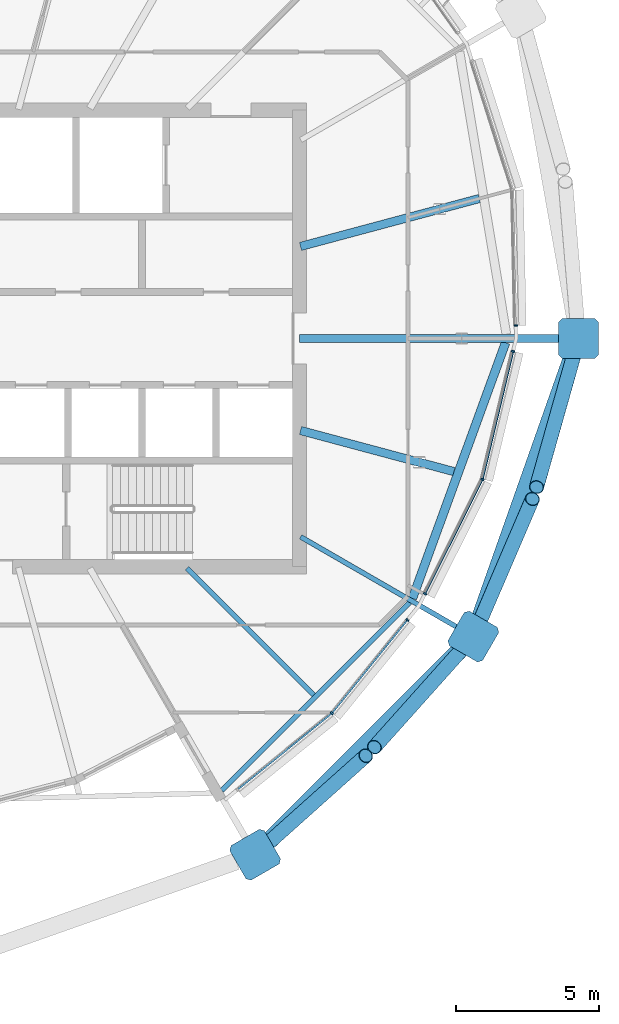
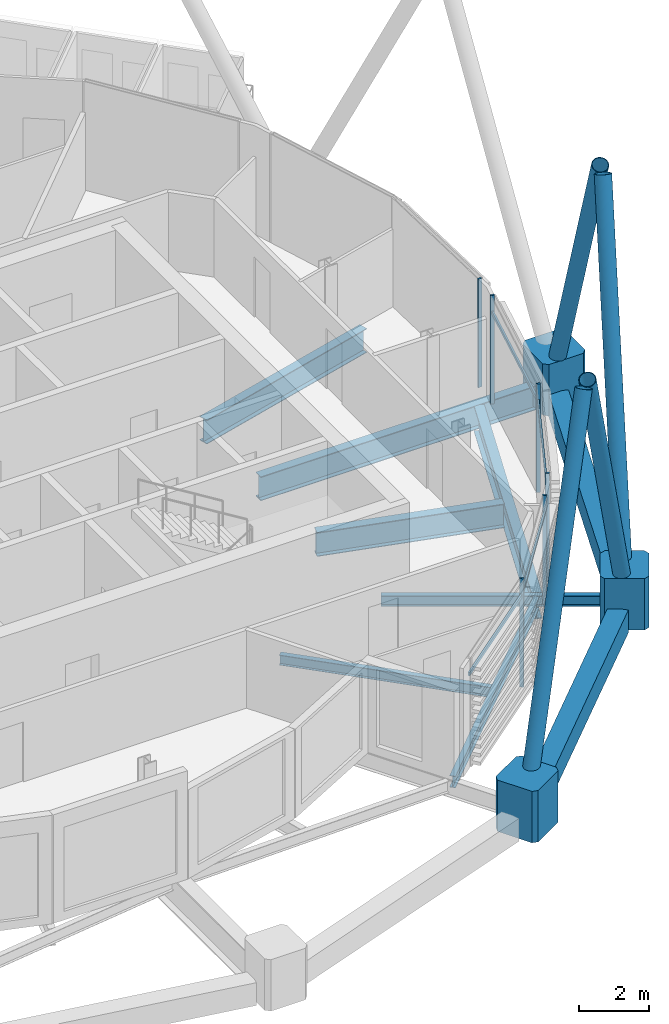
# One storey, part 14 of 34: 17 members, 9 beams, 1 element without a shape of its own.
"""IFC4 building model written with IfcOpenShell, lengths in metres."""

from ifc_helpers import new_model, si_unit, direction, frame, origin, origin_2d, place, context, subcontext, project, spatial, polyline, rectangle, hollow_rectangle, hollow_circle, i_section, outline, extrude, material, material_profile, profile_set, type_object, element, aggregate, save


model = new_model("IFC4")

# Units and contexts
model_context = context("Model", 3, precision=1e-05, world=origin(), true_north=direction((0.0, 1.0)))
body_context = subcontext(model_context, "Body", "Model", "MODEL_VIEW")
ifc_project = project(units=[si_unit("LENGTHUNIT", "METRE"), si_unit("AREAUNIT", "SQUARE_METRE"), si_unit("VOLUMEUNIT", "CUBIC_METRE"), si_unit("PLANEANGLEUNIT", "RADIAN"), si_unit("MASSUNIT", "GRAM", prefix="KILO")], contexts=[model_context])

# Site, building, storey
site_placement = place(None, origin())
site = spatial("IfcSite", under=ifc_project, at=site_placement, CompositionType="ELEMENT")
building_placement = place(site_placement, origin())
building = spatial("IfcBuilding", under=site, at=building_placement, Name="Rimbun Link Towers", CompositionType="ELEMENT")
storey_placement = place(building_placement, frame((0.0, 0.0, 221.89990234375)))
storey = spatial("IfcBuildingStorey", under=building, at=storey_placement, Name="L54", CompositionType="ELEMENT", Elevation=221.89990234375)

# Curtain wall, members
ifc_material_1 = material(Name="Aluminium 6063-T6 and low-iron glass", Category="aluminium")
curtain_wall_type = type_object("IfcCurtainWallType", Name="CW1-Z4 unitised vision wall (zone 4)", PredefinedType="NOTDEFINED", material=ifc_material_1)
curtain_wall_placement = place(storey_placement, origin())
curtain_wall = element("IfcCurtainWall", 1, at=curtain_wall_placement, inside=storey, type_object=curtain_wall_type, Name="CW1 L54 T2", PredefinedType="NOTDEFINED")
ifc_material_2 = material(Name="Aluminium 6063-T6", Category="aluminium")
ifc_material_profile_1 = material_profile(ifc_material_2, rectangle(XDim=0.1201171875, YDim=0.06005859375, at=origin_2d()), Name="MULLION 60X120")
ifc_profile_set_1 = profile_set([ifc_material_profile_1], Name="Aluminium 6063-T6")
member_type_1 = type_object("IfcMemberType", Name="CW1 mullion 60X120", PredefinedType="MULLION", material=ifc_profile_set_1)
member_1_placement = place(storey_placement, frame((44.88818359375, -13.13818359375, 0.0), z_axis=(0.0, 0.0, 1.0), x_axis=(0.707106781187, -0.707106781187, 0.0)))
member_1 = element("IfcMember", 2, at=member_1_placement, type_object=member_type_1, Name="CW1 mullion", PredefinedType="MULLION", context=body_context, shape_type="SweptSolid", body=[
    extrude(rectangle(XDim=0.1201171875, YDim=0.06005859375, at=origin_2d()), origin(), (0.0, 0.0, 1.0), 3.800048828125),
])
member_2_placement = place(storey_placement, frame((47.536865234375, -9.86669921875, 0.0), z_axis=(0.0, 0.0, 1.0), x_axis=(0.777275581063, -0.629160290454, 0.0)))
member_2 = element("IfcMember", 3, at=member_2_placement, type_object=member_type_1, Name="CW1 mullion", PredefinedType="MULLION", context=body_context, shape_type="SweptSolid", body=[
    extrude(rectangle(XDim=0.1201171875, YDim=0.06005859375, at=origin_2d()), origin(), (0.0, 0.0, 1.0), 3.800048828125),
])
member_3_placement = place(storey_placement, frame((50.1669921875, -4.940185546875, 0.0), z_axis=(0.0, 0.0, 1.0), x_axis=(0.939348465914, -0.342964224935, 0.0)))
member_3 = element("IfcMember", 4, at=member_3_placement, type_object=member_type_1, Name="CW1 mullion", PredefinedType="MULLION", context=body_context, shape_type="SweptSolid", body=[
    extrude(rectangle(XDim=0.1201171875, YDim=0.06005859375, at=origin_2d()), origin(), (0.0, 0.0, 1.0), 3.800048828125),
])
member_4_placement = place(storey_placement, frame((48.15478515625, -8.948486328125, 0.0), z_axis=(0.0, 0.0, 1.0), x_axis=(0.893646631938, -0.448771319523, 0.0)))
member_4 = element("IfcMember", 5, at=member_4_placement, type_object=member_type_1, Name="CW1 mullion", PredefinedType="MULLION", context=body_context, shape_type="SweptSolid", body=[
    extrude(rectangle(XDim=0.1201171875, YDim=0.06005859375, at=origin_2d()), origin(), (0.0, 0.0, 1.0), 3.800048828125),
])
member_5_placement = place(storey_placement, frame((51.240966796875, -0.45166015625, 0.0), z_axis=(0.0, 0.0, 1.0), x_axis=(0.972572183777, -0.232601262555, 0.0)))
member_5 = element("IfcMember", 6, at=member_5_placement, type_object=member_type_1, Name="CW1 mullion", PredefinedType="MULLION", context=body_context, shape_type="SweptSolid", body=[
    extrude(rectangle(XDim=0.1201171875, YDim=0.06005859375, at=origin_2d()), origin(), (0.0, 0.0, 1.0), 3.800048828125),
])
member_6_placement = place(storey_placement, frame((51.337890625, 0.451171875, 0.0), z_axis=(0.0, 0.0, 1.0), x_axis=(0.999778028585, 0.021068781637, 0.0)))
member_6 = element("IfcMember", 7, at=member_6_placement, type_object=member_type_1, Name="CW1 mullion", PredefinedType="MULLION", context=body_context, shape_type="SweptSolid", body=[
    extrude(rectangle(XDim=0.1201171875, YDim=0.06005859375, at=origin_2d()), origin(), (0.0, 0.0, 1.0), 3.800048828125),
])
ifc_material_3 = material(Name="Aluminium 6063-T6", Category="aluminium")
ifc_material_profile_2 = material_profile(ifc_material_3, rectangle(XDim=0.06005859375, YDim=0.1201171875, at=origin_2d()), Name="TRANSOM 60X120")
ifc_profile_set_2 = profile_set([ifc_material_profile_2], Name="Aluminium 6063-T6")
member_type_2 = type_object("IfcMemberType", Name="CW1 transom 60X120", PredefinedType="USERDEFINED", material=ifc_profile_set_2)
member_7_placement = place(storey_placement, frame((44.85888671875, -13.15966796875, 3.2001953125), z_axis=(-0.7772543622, -0.629186503703, 0.0), x_axis=(0.629186503703, -0.7772543622, 0.0)))
member_7 = element("IfcMember", 8, at=member_7_placement, type_object=member_type_2, Name="CW1 transom", ObjectType="TRANSOM", PredefinedType="USERDEFINED", context=body_context, shape_type="SweptSolid", body=[
    extrude(rectangle(XDim=0.06005859375, YDim=0.1201171875, at=origin_2d()), origin(), (0.0, 0.0, 1.0), 4.193115234375),
])
member_8_placement = place(storey_placement, frame((47.516357421875, -9.888671875, 3.2001953125), z_axis=(-0.62917619089, -0.777262710297, 0.0), x_axis=(0.777262710297, -0.62917619089, 0.0)))
member_8 = element("IfcMember", 9, at=member_8_placement, type_object=member_type_2, Name="CW1 transom", ObjectType="TRANSOM", PredefinedType="USERDEFINED", context=body_context, shape_type="SweptSolid", body=[
    extrude(rectangle(XDim=0.06005859375, YDim=0.1201171875, at=origin_2d()), origin(), (0.0, 0.0, 1.0), 4.14306640625),
])
member_9_placement = place(storey_placement, frame((50.149169921875, -4.97265625, 3.2001953125), z_axis=(-0.448804313885, -0.893630062072, 0.0), x_axis=(0.893630062072, -0.448804313885, 0.0)))
member_9 = element("IfcMember", 10, at=member_9_placement, type_object=member_type_2, Name="CW1 transom", ObjectType="TRANSOM", PredefinedType="USERDEFINED", context=body_context, shape_type="SweptSolid", body=[
    extrude(rectangle(XDim=0.06005859375, YDim=0.1201171875, at=origin_2d()), origin(), (0.0, 0.0, 1.0), 4.418212890625),
])
member_10_placement = place(storey_placement, frame((51.232177734375, -0.480224609375, 3.2001953125), z_axis=(-0.232621775985, -0.972567277538, 0.0), x_axis=(0.972567277538, -0.232621775985, 0.0)))
member_10 = element("IfcMember", 11, at=member_10_placement, type_object=member_type_2, Name="CW1 transom", ObjectType="TRANSOM", PredefinedType="USERDEFINED", context=body_context, shape_type="SweptSolid", body=[
    extrude(rectangle(XDim=0.06005859375, YDim=0.1201171875, at=origin_2d()), origin(), (0.0, 0.0, 1.0), 4.548583984375),
])
aggregate(curtain_wall, [member_1, member_2, member_3, member_4, member_5, member_6, member_7, member_8, member_9, member_10])

# Members
ifc_material_4 = material(Name="Steel S355J2H", Category="steel")
ifc_material_profile_3 = material_profile(ifc_material_4, hollow_circle(Radius=0.25390625, WallThickness=0.02001953125, at=origin_2d()), Name="Diagrid diagonal CHS 508x20")
ifc_profile_set_3 = profile_set([ifc_material_profile_3], Name="Steel S355J2H")
member_type_3 = type_object("IfcMemberType", Name="Diagrid diagonal CHS 508x20", PredefinedType="BRACE", material=ifc_profile_set_3)
for number, where, z_axis, x_axis, name in (
    (12, (42.358642578125, -17.95458984375, 0.45166015625), (0.319901395332, 0.286121421357, 0.903215162353), (-0.666657495465, 0.74536419537, 0.0), "Diagrid diagonal T2 L54-L57 17b"),
    (13, (49.70458984375, -10.608642578125, 0.45166015625), (-0.286121421357, -0.319901395332, 0.903215162353), (0.74536419537, -0.666657495465, 0.0), "Diagrid diagonal T2 L54-L57 19a"),
):
    element("IfcMember", number, at=place(storey_placement, frame(where, z_axis=z_axis, x_axis=x_axis)), inside=storey, type_object=member_type_3, Name=name, PredefinedType="BRACE", context=body_context, shape_type="SweptSolid", body=[
        extrude(hollow_circle(Radius=0.25390625, WallThickness=0.02001953125, at=origin_2d()), origin(), (0.0, 0.0, 1.0), 11.62158203125),
    ])
member_11_placement = place(storey_placement, frame((49.932861328125, -10.25, 0.450927734375), z_axis=(0.170489253416, 0.39722108711, 0.901747648971), x_axis=(-0.918934117614, 0.394411064101, 0.0)))
element("IfcMember", 14, at=member_11_placement, inside=storey, type_object=member_type_3, Name="Diagrid diagonal T2 L54-L57 19b", PredefinedType="BRACE", context=body_context, shape_type="SweptSolid", body=[
    extrude(hollow_circle(Radius=0.25390625, WallThickness=0.02001953125, at=origin_2d()), origin(), (0.0, 0.0, 1.0), 11.64208984375),
])
member_12_placement = place(storey_placement, frame((53.47705078125, -0.21337890625, 0.4482421875), z_axis=(-0.120647283571, -0.426671795463, 0.896323274228), x_axis=(0.96227036512, -0.272095101778, 0.0)))
element("IfcMember", 15, at=member_12_placement, inside=storey, type_object=member_type_3, Name="Diagrid diagonal T2 L54-L57 21a", PredefinedType="BRACE", context=body_context, shape_type="SweptSolid", body=[
    extrude(hollow_circle(Radius=0.25390625, WallThickness=0.02001953125, at=origin_2d()), origin(), (0.0, 0.0, 1.0), 11.718505859375),
])
ifc_material_5 = material(Name="Cast steel G20Mn5+QT, Rp0.2 300 MPa", Category="steel")
ifc_material_profile_4 = material_profile(ifc_material_5, outline(polyline([(0.699951171875, -0.570068359375), (0.699951171875, 0.570068359375), (0.570068359375, 0.699951171875), (-0.570068359375, 0.699951171875), (-0.699951171875, 0.570068359375), (-0.699951171875, -0.570068359375), (-0.570068359375, -0.699951171875), (0.570068359375, -0.699951171875), (0.699951171875, -0.570068359375)])), Name="NODE 1400x1400")
ifc_profile_set_4 = profile_set([ifc_material_profile_4], Name="Cast steel G20Mn5+QT, Rp0.2 300 MPa")
member_type_4 = type_object("IfcMemberType", Name="Diagrid node cast 1400", PredefinedType="USERDEFINED", material=ifc_profile_set_4)
for number, where, z_axis, x_axis, name in (
    (16, (42.19873046875, -18.09765625, -0.89990234375), (0.0, 0.0, 1.0), (0.5, -0.866025403784, 0.0), "Diagrid node L54 17"),
    (17, (49.84765625, -10.44873046875, -0.89990234375), (0.0, 0.0, 1.0), (0.866025403784, -0.5, 0.0), "Diagrid node L54 19"),
    (18, (53.537353515625, 0.0, -0.89990234375), (0.0, 0.0, 1.0), (1.0, 0.0, 0.0), "Diagrid node L54 21"),
):
    element("IfcMember", number, at=place(storey_placement, frame(where, z_axis=z_axis, x_axis=x_axis)), inside=storey, type_object=member_type_4, Name=name, ObjectType="Diagrid node", PredefinedType="USERDEFINED", context=body_context, shape_type="SweptSolid", body=[
        extrude(outline(polyline([(0.699951171875, -0.570068359375), (0.699951171875, 0.570068359375), (0.570068359375, 0.699951171875), (-0.570068359375, 0.699951171875), (-0.699951171875, 0.570068359375), (-0.699951171875, -0.570068359375), (-0.570068359375, -0.699951171875), (0.570068359375, -0.699951171875), (0.699951171875, -0.570068359375)])), origin(), (0.0, 0.0, 1.0), 1.800048828125),
    ])

# Beams
ifc_material_6 = material(Name="Steel S355J2", Category="steel")
ifc_material_profile_5 = material_profile(ifc_material_6, hollow_rectangle(XDim=0.60009765625, YDim=0.800048828125, WallThickness=0.0400390625, at=origin_2d()), Name="Exoskeleton ring girder BOX 600x800x40")
ifc_profile_set_5 = profile_set([ifc_material_profile_5], Name="Steel S355J2")
beam_type_1 = type_object("IfcBeamType", Name="Exoskeleton ring girder BOX 600x800x40", PredefinedType="BEAM", material=ifc_profile_set_5)
beam_1_placement = place(storey_placement, frame((42.693603515625, -17.6025390625, -0.559814453125), z_axis=(0.707106781187, 0.707106781187, 0.0), x_axis=(-0.707106781187, 0.707106781187, 0.0)))
element("IfcBeam", 19, at=beam_1_placement, inside=storey, type_object=beam_type_1, Name="Exoskeleton ring girder L54 08", PredefinedType="BEAM", context=body_context, shape_type="SweptSolid", body=[
    extrude(hollow_rectangle(XDim=0.60009765625, YDim=0.800048828125, WallThickness=0.0400390625, at=origin_2d()), origin(), (0.0, 0.0, 1.0), 9.417236328125),
])
beam_2_placement = place(storey_placement, frame((50.080810546875, -9.78857421875, -0.559814453125), z_axis=(0.332966539153, 0.942938642651, 0.0), x_axis=(-0.942938642651, 0.332966539153, 0.0)))
element("IfcBeam", 20, at=beam_2_placement, inside=storey, type_object=beam_type_1, Name="Exoskeleton ring girder L54 09", PredefinedType="BEAM", context=body_context, shape_type="SweptSolid", body=[
    extrude(hollow_rectangle(XDim=0.60009765625, YDim=0.800048828125, WallThickness=0.0400390625, at=origin_2d()), origin(), (0.0, 0.0, 1.0), 9.680908203125),
])
ifc_material_7 = material(Name="Steel S355J2", Category="steel")
ifc_material_profile_6 = material_profile(ifc_material_7, i_section(OverallWidth=0.17138671875, OverallDepth=0.35498046875, WebThickness=0.00732421875, FlangeThickness=0.011474609375, at=origin_2d()), Name="UB 356x171x51")
ifc_profile_set_6 = profile_set([ifc_material_profile_6], Name="Steel S355J2")
beam_type_2 = type_object("IfcBeamType", Name="UB 356x171x51", PredefinedType="BEAM", material=ifc_profile_set_6)
beam_3_placement = place(storey_placement, frame((39.811279296875, -8.061279296875, -0.3173828125), z_axis=(0.707106781187, -0.707106781187, 0.0), x_axis=(0.707106781187, 0.707106781187, 0.0)))
element("IfcBeam", 21, at=beam_3_placement, inside=storey, type_object=beam_type_2, Name="Radial beam T2 L54 18", PredefinedType="BEAM", context=body_context, shape_type="SweptSolid", body=[
    extrude(i_section(OverallWidth=0.17138671875, OverallDepth=0.35498046875, WebThickness=0.00732421875, FlangeThickness=0.011474609375, at=origin_2d()), origin(), (0.0, 0.0, 1.0), 6.27734375),
])
beam_4_placement = place(storey_placement, frame((43.793701171875, -6.95361328125, -0.3173828125), z_axis=(0.866030864299, -0.499990541991, 0.0), x_axis=(0.499990541991, 0.866030864299, 0.0)))
element("IfcBeam", 22, at=beam_4_placement, inside=storey, type_object=beam_type_2, Name="Radial beam T2 L54 19", PredefinedType="BEAM", context=body_context, shape_type="SweptSolid", body=[
    extrude(i_section(OverallWidth=0.17138671875, OverallDepth=0.35498046875, WebThickness=0.00732421875, FlangeThickness=0.011474609375, at=origin_2d()), origin(), (0.0, 0.0, 1.0), 6.490478515625),
])
ifc_material_8 = material(Name="Steel S355J2", Category="steel")
ifc_material_profile_7 = material_profile(ifc_material_8, i_section(OverallWidth=0.177978515625, OverallDepth=0.406494140625, WebThickness=0.0078125, FlangeThickness=0.0126953125, at=origin_2d()), Name="UB 406x178x60")
ifc_profile_set_7 = profile_set([ifc_material_profile_7], Name="Steel S355J2")
beam_type_3 = type_object("IfcBeamType", Name="UB 406x178x60", PredefinedType="BEAM", material=ifc_profile_set_7)
beam_5_placement = place(storey_placement, frame((41.03125, -15.845947265625, -0.343017578125), z_axis=(0.70709367363, 0.7071198885, 0.0), x_axis=(-0.7071198885, 0.70709367363, 0.0)))
element("IfcBeam", 23, at=beam_5_placement, inside=storey, type_object=beam_type_3, Name="Edge beam T2 L54 17-19", PredefinedType="BEAM", context=body_context, shape_type="SweptSolid", body=[
    extrude(i_section(OverallWidth=0.177978515625, OverallDepth=0.406494140625, WebThickness=0.0078125, FlangeThickness=0.0126953125, at=origin_2d()), origin(), (0.0, 0.0, 1.0), 9.31298828125),
])
ifc_material_9 = material(Name="Steel S355J2", Category="steel")
ifc_material_profile_8 = material_profile(ifc_material_9, i_section(OverallWidth=0.29248046875, OverallDepth=0.8408203125, WebThickness=0.0126953125, FlangeThickness=0.021728515625, at=origin_2d()), Name="UB 838x292x194")
ifc_profile_set_8 = profile_set([ifc_material_profile_8], Name="Steel S355J2")
beam_type_4 = type_object("IfcBeamType", Name="UB 838x292x194", PredefinedType="BEAM", material=ifc_profile_set_8)
beam_6_placement = place(storey_placement, frame((43.788818359375, -3.225830078125, -0.560302734375), z_axis=(0.965927107431, -0.25881426377, 0.0), x_axis=(0.25881426377, 0.965927107431, 0.0)))
element("IfcBeam", 24, at=beam_6_placement, inside=storey, type_object=beam_type_4, Name="Radial beam T2 L54 20", PredefinedType="BEAM", context=body_context, shape_type="SweptSolid", body=[
    extrude(i_section(OverallWidth=0.29248046875, OverallDepth=0.8408203125, WebThickness=0.0126953125, FlangeThickness=0.021728515625, at=origin_2d()), origin(), (0.0, 0.0, 1.0), 5.5673828125),
])
beam_7_placement = place(storey_placement, frame((43.7509765625, 0.0, -0.560302734375), z_axis=(1.0, 0.0, 0.0), x_axis=(0.0, 1.0, 0.0)))
element("IfcBeam", 25, at=beam_7_placement, inside=storey, type_object=beam_type_4, Name="Radial beam T2 L54 21", PredefinedType="BEAM", context=body_context, shape_type="SweptSolid", body=[
    extrude(i_section(OverallWidth=0.29248046875, OverallDepth=0.8408203125, WebThickness=0.0126953125, FlangeThickness=0.021728515625, at=origin_2d()), origin(), (0.0, 0.0, 1.0), 9.286376953125),
])
beam_8_placement = place(storey_placement, frame((43.788818359375, 3.225830078125, -0.560302734375), z_axis=(0.965925217521, 0.258821317047, 0.0), x_axis=(-0.258821317047, 0.965925217521, 0.0)))
element("IfcBeam", 26, at=beam_8_placement, inside=storey, type_object=beam_type_4, Name="Radial beam T2 L54 22", PredefinedType="BEAM", context=body_context, shape_type="SweptSolid", body=[
    extrude(i_section(OverallWidth=0.29248046875, OverallDepth=0.8408203125, WebThickness=0.0126953125, FlangeThickness=0.021728515625, at=origin_2d()), origin(), (0.0, 0.0, 1.0), 6.49072265625),
])
ifc_material_10 = material(Name="Steel S355J2", Category="steel")
ifc_material_profile_9 = material_profile(ifc_material_10, i_section(OverallWidth=0.305419921875, OverallDepth=0.91845703125, WebThickness=0.017333984375, FlangeThickness=0.02783203125, at=origin_2d()), Name="UB 914x305x253")
ifc_profile_set_9 = profile_set([ifc_material_profile_9], Name="Steel S355J2")
beam_type_5 = type_object("IfcBeamType", Name="UB 914x305x253", PredefinedType="BEAM", material=ifc_profile_set_9)
beam_9_placement = place(storey_placement, frame((47.710205078125, -9.114501953125, -0.59912109375), z_axis=(0.342254455107, 0.939607305186, 0.0), x_axis=(-0.939607305186, 0.342254455107, 0.0)))
element("IfcBeam", 27, at=beam_9_placement, inside=storey, type_object=beam_type_5, Name="Edge beam T2 L54 19-21", PredefinedType="BEAM", context=body_context, shape_type="SweptSolid", body=[
    extrude(i_section(OverallWidth=0.305419921875, OverallDepth=0.91845703125, WebThickness=0.017333984375, FlangeThickness=0.02783203125, at=origin_2d()), origin(), (0.0, 0.0, 1.0), 9.543701171875),
])

save(model, "model.ifc")
